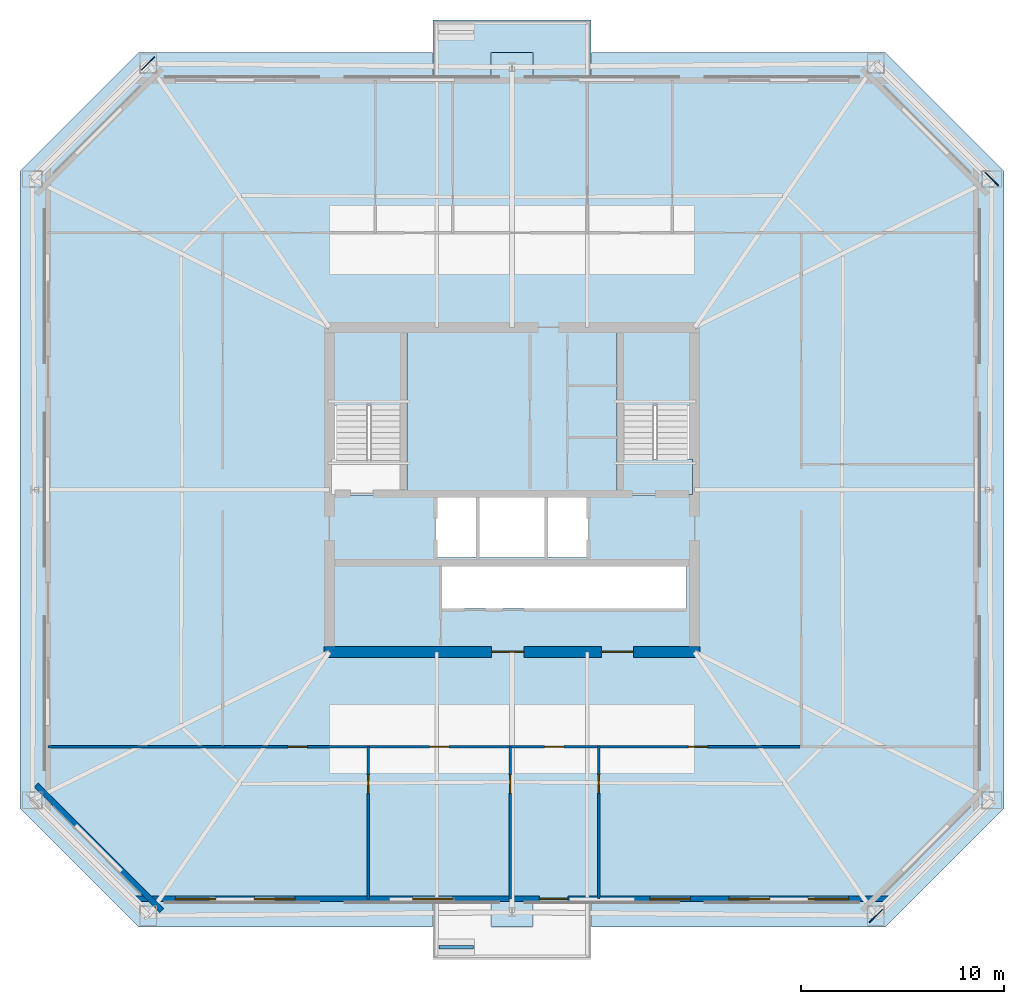
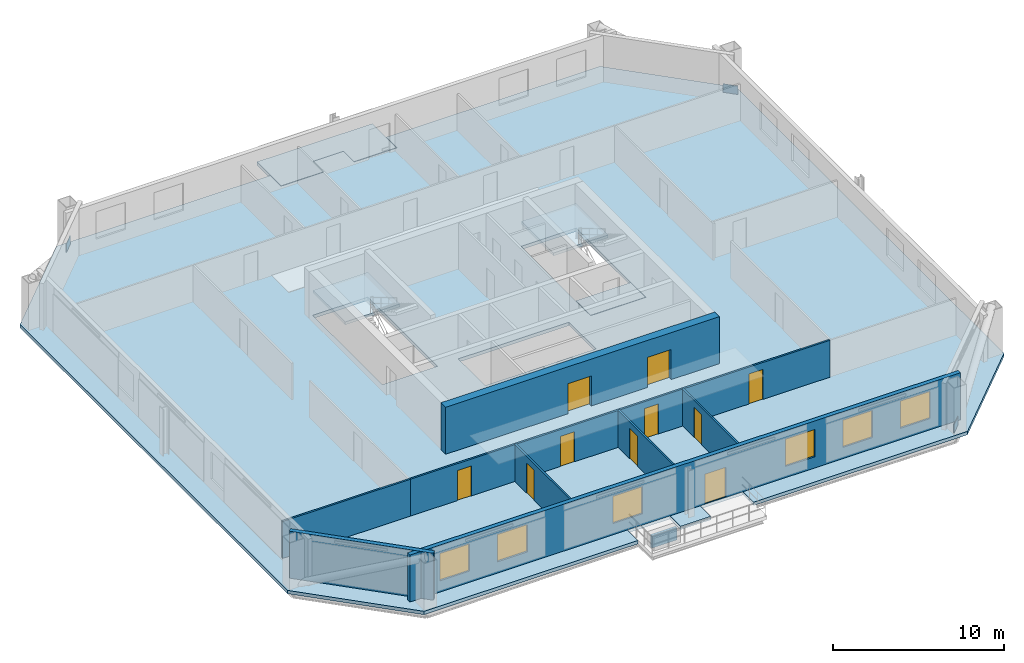
# One storey, part 2 of 7: 10 doors, 9 walls, 6 windows, 5 slabs, 3 plates, 16 openings, 2 elements without a shape of their own.
"""IFC4 building model written with IfcOpenShell, lengths in metres."""

from ifc_helpers import new_model, si_unit, direction, frame, frame_2d, origin, origin_2d, place, context, subcontext, project, spatial, polyline, rectangle, outline, extrude, material, layer, layer_set, type_object, element, fill, aggregate, save


model = new_model("IFC4")

# Units and contexts
model_context = context("Model", 3, precision=1e-05, world=origin(), true_north=direction((0.0, 1.0)))
body_context = subcontext(model_context, "Body", "Model", "MODEL_VIEW")
ifc_project = project(units=[si_unit("LENGTHUNIT", "METRE"), si_unit("AREAUNIT", "SQUARE_METRE"), si_unit("VOLUMEUNIT", "CUBIC_METRE"), si_unit("PLANEANGLEUNIT", "RADIAN"), si_unit("MASSUNIT", "GRAM", prefix="KILO")], contexts=[model_context])

# Site, building, storey
site_placement = place(None, origin())
site = spatial("IfcSite", under=ifc_project, at=site_placement, CompositionType="ELEMENT")
building_placement = place(site_placement, origin())
building = spatial("IfcBuilding", under=site, at=building_placement, Name="Caelvoria Tower", CompositionType="ELEMENT")
storey_placement = place(building_placement, frame((0.0, 0.0, 109.60009765625)))
storey = spatial("IfcBuildingStorey", under=building, at=storey_placement, Name="L28", CompositionType="ELEMENT", Elevation=109.60009765625)

# Plates
ifc_material_1 = material(Name="Structural Steel ASTM A572 Gr.50", Category="steel")
ifc_layer_1 = layer(ifc_material_1, 0.0400390625, Name="Structural Steel ASTM A572 Gr.50")
ifc_layer_set_1 = layer_set([ifc_layer_1], Name="Megaframe Node Gusset Plate 900x600x40 - Structural Steel ASTM A572 Gr.50")
plate_type = type_object("IfcPlateType", Name="Megaframe Node Gusset Plate 900x600x40", PredefinedType="USERDEFINED", material=ifc_layer_set_1)
for number, where, z_axis, x_axis, name in (
    (1, (63.9326171875, 10.99755859375, 0.019775390625), (0.0, 0.0, 1.0), (0.708307805559, 0.705903713394, 0.0), "Chamfer Mega Brace Gusset L28 SE"),
    (2, (69.6455078125, 47.30859375, 0.019775390625), (0.0, 0.0, 1.0), (-0.708307805559, 0.705903713394, 0.0), "Chamfer Mega Brace Gusset L28 NE"),
    (3, (28.0673828125, 53.00244140625, 0.019775390625), (0.0, 0.0, 1.0), (-0.708307805559, -0.705903713394, 0.0), "Chamfer Mega Brace Gusset L28 NW"),
):
    element("IfcPlate", number, at=place(storey_placement, frame(where, z_axis=z_axis, x_axis=x_axis)), inside=storey, type_object=plate_type, Name=name, ObjectType="GUSSET_PLATE", PredefinedType="USERDEFINED", context=body_context, shape_type="SweptSolid", body=[
        extrude(rectangle(XDim=0.89990234375, YDim=0.0400390625, at=origin_2d()), origin(), (0.0, 0.0, 1.0), 0.60009765625),
    ])

# Stair, slab
ifc_material_2 = material(Name="Concrete C40/50", Category="concrete")
stair_type = type_object("IfcStairType", Name="Core Smokeproof Dogleg Stair Concrete C40/50", PredefinedType="HALF_TURN_STAIR", material=ifc_material_2)
stair_1_placement = place(storey_placement, origin())
stair_1 = element("IfcStair", 4, at=stair_1_placement, inside=storey, type_object=stair_type, Name="ST-01 Smokeproof Exit Stair L28", PredefinedType="HALF_TURN_STAIR")
ifc_layer_2 = layer(ifc_material_2, 0.199951171875, Name="Concrete C40/50")
ifc_layer_set_2 = layer_set([ifc_layer_2], Name="Stair Half and Floor Landing Slab 200 Concrete C40/50 - Concrete C40/50")
slab_type_1 = type_object("IfcSlabType", Name="Stair Half and Floor Landing Slab 200 Concrete C40/50", PredefinedType="LANDING", material=ifc_layer_set_2)
slab_1_placement = place(storey_placement, frame((0.0, 0.0, 1.599853515625)))
slab_1 = element("IfcSlab", 5, at=slab_1_placement, type_object=slab_type_1, Name="ST-01 landing 2", PredefinedType="LANDING", context=body_context, shape_type="SweptSolid", body=[
    extrude(outline(polyline([(37.10009765625, 36.14990234375), (40.800048828125, 36.14990234375), (40.800048828125, 39.89990234375), (37.10009765625, 39.89990234375), (37.10009765625, 36.14990234375)])), origin(), (0.0, 0.0, 1.0), 0.199951171875),
])
aggregate(stair_1, [slab_1])

# Stair, slabs
stair_2_placement = place(storey_placement, origin())
stair_2 = element("IfcStair", 6, at=stair_2_placement, inside=storey, type_object=stair_type, Name="ST-02 Smokeproof Exit Stair L28", PredefinedType="HALF_TURN_STAIR")
slab_2_placement = place(storey_placement, frame((0.0, 0.0, -0.2001953125)))
slab_2 = element("IfcSlab", 7, at=slab_2_placement, type_object=slab_type_1, Name="ST-02 landing 1", PredefinedType="LANDING", context=body_context, shape_type="SweptSolid", body=[
    extrude(outline(polyline([(51.199951171875, 31.77001953125), (54.89990234375, 31.77001953125), (54.89990234375, 33.5), (51.199951171875, 33.5), (51.199951171875, 31.77001953125)])), origin(), (0.0, 0.0, 1.0), 0.2001953125),
])
slab_3_placement = place(storey_placement, frame((0.0, 0.0, 1.599853515625)))
slab_3 = element("IfcSlab", 8, at=slab_3_placement, type_object=slab_type_1, Name="ST-02 landing 2", PredefinedType="LANDING", context=body_context, shape_type="SweptSolid", body=[
    extrude(outline(polyline([(51.199951171875, 36.14990234375), (54.89990234375, 36.14990234375), (54.89990234375, 39.89990234375), (51.199951171875, 39.89990234375), (51.199951171875, 36.14990234375)])), origin(), (0.0, 0.0, 1.0), 0.199951171875),
])
aggregate(stair_2, [slab_2, slab_3])

# Slabs
ifc_layer_3 = layer(ifc_material_2, 0.239990234375, Name="Concrete C40/50")
ifc_layer_set_3 = layer_set([ifc_layer_3], Name="Tower Composite Office Slab 240 - Concrete C40/50")
slab_type_2 = type_object("IfcSlabType", Name="Tower Composite Office Slab 240", PredefinedType="FLOOR", material=ifc_layer_set_3)
slab_4_placement = place(storey_placement, frame((0.0, 0.0, -0.239990234375)))
element("IfcSlab", 9, at=slab_4_placement, inside=storey, type_object=slab_type_2, Name="Level L28 Structural Floor Slab", PredefinedType="FLOOR", context=body_context, shape_type="SweptSolid", body=[
    extrude(outline(polyline([(21.75, 47.699951171875), (21.75, 16.300048828125), (27.60009765625, 10.449951171875), (42.080078125, 10.449951171875), (42.080078125, 11.7099609375), (44.97998046875, 11.7099609375), (44.97998046875, 10.449951171875), (47.02001953125, 10.449951171875), (47.02001953125, 11.7099609375), (49.919921875, 11.7099609375), (49.919921875, 10.449951171875), (64.39990234375, 10.449951171875), (70.25, 16.300048828125), (70.25, 47.699951171875), (64.39990234375, 53.550048828125), (49.919921875, 53.550048828125), (49.919921875, 52.2900390625), (47.02001953125, 52.2900390625), (47.02001953125, 53.550048828125), (44.97998046875, 53.550048828125), (44.97998046875, 52.2900390625), (42.080078125, 52.2900390625), (42.080078125, 53.550048828125), (27.60009765625, 53.550048828125), (21.75, 47.699951171875)]), holes=[polyline([(37.080078125, 31.75), (40.820068359375, 31.75), (40.820068359375, 39.919921875), (37.080078125, 39.919921875), (37.080078125, 31.75)]), polyline([(51.179931640625, 31.75), (54.919921875, 31.75), (54.919921875, 39.919921875), (51.179931640625, 39.919921875), (51.179931640625, 31.75)]), polyline([(42.25, 28.64990234375), (49.75, 28.64990234375), (49.75, 31.800048828125), (42.25, 31.800048828125), (42.25, 28.64990234375)]), polyline([(42.550048828125, 26.14990234375), (54.60009765625, 26.14990234375), (54.60009765625, 28.25), (42.550048828125, 28.25), (42.550048828125, 26.14990234375)])]), origin(), (0.0, 0.0, 1.0), 0.239990234375),
])
ifc_material_3 = material(Name="Concrete C45/55", Category="concrete")
ifc_layer_4 = layer(ifc_material_3, 0.25, Name="Concrete C45/55")
ifc_layer_set_4 = layer_set([ifc_layer_4], Name="Tree Balcony Structural Planter Slab 250 - Concrete C45/55")
slab_type_3 = type_object("IfcSlabType", Name="Tree Balcony Structural Planter Slab 250", PredefinedType="FLOOR", material=ifc_layer_set_4)
slab_5_placement = place(storey_placement, frame((0.0, 0.0, -0.25)))
element("IfcSlab", 10, at=slab_5_placement, inside=storey, type_object=slab_type_3, Name="Tree Balcony Slab TB-L28-N", PredefinedType="FLOOR", context=body_context, shape_type="SweptSolid", body=[
    extrude(outline(polyline([(42.10009765625, 55.14990234375), (42.10009765625, 53.550048828125), (42.10009765625, 52.31005859375), (44.9599609375, 52.31005859375), (44.9599609375, 53.550048828125), (47.0400390625, 53.550048828125), (47.0400390625, 52.31005859375), (49.89990234375, 52.31005859375), (49.89990234375, 53.550048828125), (49.89990234375, 55.14990234375), (42.10009765625, 55.14990234375)])), origin(), (0.0, 0.0, 1.0), 0.25),
])

# Wall
ifc_material_4 = material(Name="Bronze-Clad Concrete C40/50", Category="concrete")
ifc_layer_5 = layer(ifc_material_4, 0.179931640625, Name="Bronze-Clad Concrete C40/50")
ifc_layer_set_5 = layer_set([ifc_layer_5], Name="Architectural Planter Kerb Wall 180 - Bronze-Clad Concrete C40/50")
wall_type_1 = type_object("IfcWallType", Name="Architectural Planter Kerb Wall 180", PredefinedType="PARAPET", material=ifc_layer_set_5)
wall_1_placement = place(storey_placement, frame((42.39990234375, 9.449951171875, 0.0), z_axis=(0.0, 0.0, 1.0), x_axis=(1.0, 0.0, 0.0)))
element("IfcWall", 11, at=wall_1_placement, inside=storey, type_object=wall_type_1, Name="Tree Balcony Planter Kerb PLANTER TB-L28-S", PredefinedType="PARAPET", context=body_context, shape_type="SweptSolid", body=[
    extrude(rectangle(XDim=1.7001953125, YDim=0.179931640625, at=frame_2d((0.85009765625, 0.0))), origin(), (0.0, 0.0, 1.0), 0.8798828125),
])

# Wall, openings, windows, door
ifc_material_5 = material(Name="Precast Concrete C40/50 with Bronze Cladding", Category="concrete")
ifc_layer_6 = layer(ifc_material_5, 0.280029296875, Name="Precast Concrete C40/50 with Bronze Cladding")
ifc_layer_set_6 = layer_set([ifc_layer_6], Name="Exterior Precast Concrete C40/50 Bronze-Clad Facade Wall 280 - Precast Concrete C40/50 with Bronze Cladding")
wall_type_2 = type_object("IfcWallType", Name="Exterior Precast Concrete C40/50 Bronze-Clad Facade Wall 280", PredefinedType="STANDARD", material=ifc_layer_set_6)
wall_2_placement = place(storey_placement, frame((27.360107421875, 11.830078125, 0.0), z_axis=(0.0, 0.0, 1.0), x_axis=(1.0, 0.0, 0.0)))
wall_2 = element("IfcWall", 12, at=wall_2_placement, inside=storey, type_object=wall_type_2, Name="Exterior Facade Wall L28-E0", PredefinedType="STANDARD", context=body_context, shape_type="SweptSolid", body=[
    extrude(rectangle(XDim=37.27978515625, YDim=0.280029296875, at=frame_2d((18.639892578125, 0.0))), origin(), (0.0, 0.0, 1.0), 3.35986328125),
])
opening_1_placement = place(wall_2_placement, frame((19.989990234375, 0.0, 0.0)))
opening_1 = element("IfcOpeningElement", 13, at=opening_1_placement, cuts=wall_2, Name="Opening ED-04", PredefinedType="OPENING", context=body_context, shape_type="SweptSolid", body=[
    extrude(rectangle(XDim=1.39990234375, YDim=2.14990234375, at=frame_2d((0.699951171875, 1.074951171875))), frame((0.0, 0.14990234375, 0.0), z_axis=(0.0, -1.0, 0.0), x_axis=(1.0, 0.0, 0.0)), (0.0, 0.0, 1.0), 0.300048828125),
])
opening_2_placement = place(wall_2_placement, frame((2.048828125, 0.0, 0.800048828125)))
opening_2 = element("IfcOpeningElement", 14, at=opening_2_placement, cuts=wall_2, Name="Opening WN-01", PredefinedType="OPENING", context=body_context, shape_type="SweptSolid", body=[
    extrude(rectangle(XDim=2.0, YDim=1.949951171875, at=frame_2d((1.0, 0.97509765625))), frame((0.0, 0.14990234375, 0.0), z_axis=(0.0, -1.0, 0.0), x_axis=(1.0, 0.0, 0.0)), (0.0, 0.0, 1.0), 0.300048828125),
])
opening_3_placement = place(wall_2_placement, frame((5.94677734375, 0.0, 0.800048828125)))
opening_3 = element("IfcOpeningElement", 15, at=opening_3_placement, cuts=wall_2, Name="Opening WN-01", PredefinedType="OPENING", context=body_context, shape_type="SweptSolid", body=[
    extrude(rectangle(XDim=2.0, YDim=1.949951171875, at=frame_2d((1.0, 0.97509765625))), frame((0.0, 0.14990234375, 0.0), z_axis=(0.0, -1.0, 0.0), x_axis=(1.0, 0.0, 0.0)), (0.0, 0.0, 1.0), 0.300048828125),
])
opening_4_placement = place(wall_2_placement, frame((13.7421875, 0.0, 0.800048828125)))
opening_4 = element("IfcOpeningElement", 16, at=opening_4_placement, cuts=wall_2, Name="Opening WN-01", PredefinedType="OPENING", context=body_context, shape_type="SweptSolid", body=[
    extrude(rectangle(XDim=2.0, YDim=1.949951171875, at=frame_2d((1.0, 0.97509765625))), frame((0.0, 0.14990234375, 0.0), z_axis=(0.0, -1.0, 0.0), x_axis=(1.0, 0.0, 0.0)), (0.0, 0.0, 1.0), 0.300048828125),
])
opening_5_placement = place(wall_2_placement, frame((25.435546875, 0.0, 0.800048828125)))
opening_5 = element("IfcOpeningElement", 17, at=opening_5_placement, cuts=wall_2, Name="Opening WN-01", PredefinedType="OPENING", context=body_context, shape_type="SweptSolid", body=[
    extrude(rectangle(XDim=2.0, YDim=1.949951171875, at=frame_2d((1.0, 0.97509765625))), frame((0.0, 0.14990234375, 0.0), z_axis=(0.0, -1.0, 0.0), x_axis=(1.0, 0.0, 0.0)), (0.0, 0.0, 1.0), 0.300048828125),
])
opening_6_placement = place(wall_2_placement, frame((29.333251953125, 0.0, 0.800048828125)))
opening_6 = element("IfcOpeningElement", 18, at=opening_6_placement, cuts=wall_2, Name="Opening WN-01", PredefinedType="OPENING", context=body_context, shape_type="SweptSolid", body=[
    extrude(rectangle(XDim=2.0, YDim=1.949951171875, at=frame_2d((1.0, 0.97509765625))), frame((0.0, 0.14990234375, 0.0), z_axis=(0.0, -1.0, 0.0), x_axis=(1.0, 0.0, 0.0)), (0.0, 0.0, 1.0), 0.300048828125),
])
opening_7_placement = place(wall_2_placement, frame((33.231201171875, 0.0, 0.800048828125)))
opening_7 = element("IfcOpeningElement", 19, at=opening_7_placement, cuts=wall_2, Name="Opening WN-01", PredefinedType="OPENING", context=body_context, shape_type="SweptSolid", body=[
    extrude(rectangle(XDim=2.0, YDim=1.949951171875, at=frame_2d((1.0, 0.97509765625))), frame((0.0, 0.14990234375, 0.0), z_axis=(0.0, -1.0, 0.0), x_axis=(1.0, 0.0, 0.0)), (0.0, 0.0, 1.0), 0.300048828125),
])
ifc_material_6 = material(Name="Low-E Tinted Glass in Bronze Aluminium Frame", Category="aluminium")
window_type = type_object("IfcWindowType", Name="Tower Office Vision Window 2000x1950", PartitioningType="SINGLE_PANEL", PredefinedType="WINDOW", material=ifc_material_6)
window_1_placement = place(opening_2_placement, origin())
window_1 = element("IfcWindow", 20, at=window_1_placement, inside=storey, type_object=window_type, Name="Facade Window L28-E0-00", OverallHeight=1.949951171875, OverallWidth=2.0, PartitioningType="SINGLE_PANEL", PredefinedType="WINDOW", context=body_context, shape_type="SweptSolid", body=[
    extrude(rectangle(XDim=2.0, YDim=1.949951171875, at=frame_2d((1.0, 0.97509765625))), frame((0.0, 0.030029296875, 0.0), z_axis=(0.0, -1.0, 0.0), x_axis=(1.0, 0.0, 0.0)), (0.0, 0.0, 1.0), 0.06005859375),
])
fill(opening_2, window_1)
window_2_placement = place(opening_3_placement, origin())
window_2 = element("IfcWindow", 21, at=window_2_placement, inside=storey, type_object=window_type, Name="Facade Window L28-E0-01", OverallHeight=1.949951171875, OverallWidth=2.0, PartitioningType="SINGLE_PANEL", PredefinedType="WINDOW", context=body_context, shape_type="SweptSolid", body=[
    extrude(rectangle(XDim=2.0, YDim=1.949951171875, at=frame_2d((1.0, 0.97509765625))), frame((0.0, 0.030029296875, 0.0), z_axis=(0.0, -1.0, 0.0), x_axis=(1.0, 0.0, 0.0)), (0.0, 0.0, 1.0), 0.06005859375),
])
fill(opening_3, window_2)
window_3_placement = place(opening_4_placement, origin())
window_3 = element("IfcWindow", 22, at=window_3_placement, inside=storey, type_object=window_type, Name="Facade Window L28-E0-03", OverallHeight=1.949951171875, OverallWidth=2.0, PartitioningType="SINGLE_PANEL", PredefinedType="WINDOW", context=body_context, shape_type="SweptSolid", body=[
    extrude(rectangle(XDim=2.0, YDim=1.949951171875, at=frame_2d((1.0, 0.97509765625))), frame((0.0, 0.030029296875, 0.0), z_axis=(0.0, -1.0, 0.0), x_axis=(1.0, 0.0, 0.0)), (0.0, 0.0, 1.0), 0.06005859375),
])
fill(opening_4, window_3)
window_4_placement = place(opening_5_placement, origin())
window_4 = element("IfcWindow", 23, at=window_4_placement, inside=storey, type_object=window_type, Name="Facade Window L28-E0-06", OverallHeight=1.949951171875, OverallWidth=2.0, PartitioningType="SINGLE_PANEL", PredefinedType="WINDOW", context=body_context, shape_type="SweptSolid", body=[
    extrude(rectangle(XDim=2.0, YDim=1.949951171875, at=frame_2d((1.0, 0.97509765625))), frame((0.0, 0.030029296875, 0.0), z_axis=(0.0, -1.0, 0.0), x_axis=(1.0, 0.0, 0.0)), (0.0, 0.0, 1.0), 0.06005859375),
])
fill(opening_5, window_4)
window_5_placement = place(opening_6_placement, origin())
window_5 = element("IfcWindow", 24, at=window_5_placement, inside=storey, type_object=window_type, Name="Facade Window L28-E0-07", OverallHeight=1.949951171875, OverallWidth=2.0, PartitioningType="SINGLE_PANEL", PredefinedType="WINDOW", context=body_context, shape_type="SweptSolid", body=[
    extrude(rectangle(XDim=2.0, YDim=1.949951171875, at=frame_2d((1.0, 0.97509765625))), frame((0.0, 0.030029296875, 0.0), z_axis=(0.0, -1.0, 0.0), x_axis=(1.0, 0.0, 0.0)), (0.0, 0.0, 1.0), 0.06005859375),
])
fill(opening_6, window_5)
window_6_placement = place(opening_7_placement, origin())
window_6 = element("IfcWindow", 25, at=window_6_placement, inside=storey, type_object=window_type, Name="Facade Window L28-E0-08", OverallHeight=1.949951171875, OverallWidth=2.0, PartitioningType="SINGLE_PANEL", PredefinedType="WINDOW", context=body_context, shape_type="SweptSolid", body=[
    extrude(rectangle(XDim=2.0, YDim=1.949951171875, at=frame_2d((1.0, 0.97509765625))), frame((0.0, 0.030029296875, 0.0), z_axis=(0.0, -1.0, 0.0), x_axis=(1.0, 0.0, 0.0)), (0.0, 0.0, 1.0), 0.06005859375),
])
fill(opening_7, window_6)
ifc_material_7 = material(Name="Anodised Bronze Aluminium and Laminated Glass", Category="aluminium")
door_type_1 = type_object("IfcDoorType", Name="Tree Balcony Glazed Door 1400x2150", OperationType="NOTDEFINED", PredefinedType="DOOR", material=ifc_material_7)
door_1_placement = place(opening_1_placement, origin())
door_1 = element("IfcDoor", 26, at=door_1_placement, inside=storey, type_object=door_type_1, Name="Tree Balcony Door L28-S", OperationType="SINGLE_SWING_LEFT", OverallHeight=2.14990234375, OverallWidth=1.39990234375, PredefinedType="DOOR", context=body_context, shape_type="SweptSolid", body=[
    extrude(rectangle(XDim=1.39990234375, YDim=2.14990234375, at=frame_2d((0.699951171875, 1.074951171875))), frame((0.0, 0.02490234375, 0.0), z_axis=(0.0, -1.0, 0.0), x_axis=(1.0, 0.0, 0.0)), (0.0, 0.0, 1.0), 0.050048828125),
])
fill(opening_1, door_1)

# Wall
wall_3_placement = place(storey_placement, frame((22.55615234375, 17.445556640625, 0.0), z_axis=(0.0, 0.0, 1.0), x_axis=(0.707106781187, -0.707106781187, 0.0)))
element("IfcWall", 27, at=wall_3_placement, inside=storey, type_object=wall_type_2, Name="Exterior Facade Wall L28-E7", PredefinedType="STANDARD", context=body_context, shape_type="SweptSolid", body=[
    extrude(rectangle(XDim=8.753173828125, YDim=0.280029296875, at=frame_2d((4.37646484375, 0.0))), origin(), (0.0, 0.0, 1.0), 3.35986328125),
])

# Wall, openings, doors
ifc_material_8 = material(Name="Concrete C55/67", Category="concrete")
ifc_layer_7 = layer(ifc_material_8, 0.550048828125, Name="Concrete C55/67")
ifc_layer_set_7 = layer_set([ifc_layer_7], Name="Mid Core Shear Wall 550 - Concrete C55/67")
wall_type_3 = type_object("IfcWallType", Name="Mid Core Shear Wall 550", PredefinedType="SHEAR", material=ifc_layer_set_7)
wall_4_placement = place(storey_placement, frame((36.72509765625, 24.0, 0.0), z_axis=(0.0, 0.0, 1.0), x_axis=(1.0, 0.0, 0.0)))
wall_4 = element("IfcWall", 28, at=wall_4_placement, inside=storey, type_object=wall_type_3, Name="Core Shear Wall L28 S", PredefinedType="SHEAR", context=body_context, shape_type="SweptSolid", body=[
    extrude(rectangle(XDim=18.5498046875, YDim=0.550048828125, at=frame_2d((9.27490234375, 0.0))), origin(), (0.0, 0.0, 1.0), 3.35986328125),
])
opening_8_placement = place(wall_4_placement, frame((8.27490234375, 0.0, 0.0)))
opening_8 = element("IfcOpeningElement", 29, at=opening_8_placement, cuts=wall_4, Name="Opening ID-08", PredefinedType="OPENING", context=body_context, shape_type="SweptSolid", body=[
    extrude(rectangle(XDim=1.60009765625, YDim=2.14990234375, at=frame_2d((0.800048828125, 1.074951171875))), frame((0.0, 0.284912109375, 0.0), z_axis=(0.0, -1.0, 0.0), x_axis=(1.0, 0.0, 0.0)), (0.0, 0.0, 1.0), 0.570068359375),
])
opening_9_placement = place(wall_4_placement, frame((13.675048828125, 0.0, 0.0)))
opening_9 = element("IfcOpeningElement", 30, at=opening_9_placement, cuts=wall_4, Name="Opening ID-08", PredefinedType="OPENING", context=body_context, shape_type="SweptSolid", body=[
    extrude(rectangle(XDim=1.60009765625, YDim=2.14990234375, at=frame_2d((0.800048828125, 1.074951171875))), frame((0.0, 0.284912109375, 0.0), z_axis=(0.0, -1.0, 0.0), x_axis=(1.0, 0.0, 0.0)), (0.0, 0.0, 1.0), 0.570068359375),
])
ifc_material_9 = material(Name="Bronze-Framed Fire-Rated Glazed Double Door", Category="aluminium")
door_type_2 = type_object("IfcDoorType", Name="Double Lobby Glazed Door 1600x2200", OperationType="NOTDEFINED", PredefinedType="DOOR", material=ifc_material_9)
door_2_placement = place(opening_8_placement, origin())
door_2 = element("IfcDoor", 31, at=door_2_placement, inside=storey, type_object=door_type_2, Name="Core Door DR-L28-LLOB-S1", OperationType="DOUBLE_DOOR_SINGLE_SWING", OverallHeight=2.14990234375, OverallWidth=1.60009765625, PredefinedType="DOOR", context=body_context, shape_type="SweptSolid", body=[
    extrude(rectangle(XDim=1.60009765625, YDim=2.14990234375, at=frame_2d((0.800048828125, 1.074951171875))), frame((0.0, 0.02490234375, 0.0), z_axis=(0.0, -1.0, 0.0), x_axis=(1.0, 0.0, 0.0)), (0.0, 0.0, 1.0), 0.050048828125),
])
fill(opening_8, door_2)
door_3_placement = place(opening_9_placement, origin())
door_3 = element("IfcDoor", 32, at=door_3_placement, inside=storey, type_object=door_type_2, Name="Core Door DR-L28-LLOB-S2", OperationType="DOUBLE_DOOR_SINGLE_SWING", OverallHeight=2.14990234375, OverallWidth=1.60009765625, PredefinedType="DOOR", context=body_context, shape_type="SweptSolid", body=[
    extrude(rectangle(XDim=1.60009765625, YDim=2.14990234375, at=frame_2d((0.800048828125, 1.074951171875))), frame((0.0, 0.02490234375, 0.0), z_axis=(0.0, -1.0, 0.0), x_axis=(1.0, 0.0, 0.0)), (0.0, 0.0, 1.0), 0.050048828125),
])
fill(opening_9, door_3)

# Wall, opening, door
ifc_material_10 = material(Name="Acoustic Gypsum Board on Light-Gauge Stud", Category="gypsum")
ifc_layer_8 = layer(ifc_material_10, 0.1201171875, Name="Acoustic Gypsum Board on Light-Gauge Stud")
ifc_layer_set_8 = layer_set([ifc_layer_8], Name="Tenant Suite Acoustic Partition Wall 120 - Acoustic Gypsum Board on Light-Gauge Stud")
wall_type_4 = type_object("IfcWallType", Name="Tenant Suite Acoustic Partition Wall 120", PredefinedType="PARTITIONING", material=ifc_layer_set_8)
wall_5_placement = place(storey_placement, frame((38.91357421875, 19.340087890625, 0.0), z_axis=(0.0, 0.0, 1.0), x_axis=(0.0, -1.0, 0.0)))
wall_5 = element("IfcWall", 33, at=wall_5_placement, inside=storey, type_object=wall_type_4, Name="Interior Partition IW-L28-SD-00-0", PredefinedType="PARTITIONING", context=body_context, shape_type="SweptSolid", body=[
    extrude(rectangle(XDim=7.510009765625, YDim=0.1201171875, at=frame_2d((3.7548828125, 0.0))), origin(), (0.0, 0.0, 1.0), 2.639892578125),
])
opening_10_placement = place(wall_5_placement, frame((1.39990234375, 0.0, 0.0)))
opening_10 = element("IfcOpeningElement", 34, at=opening_10_placement, cuts=wall_5, Name="Opening ID-06", PredefinedType="OPENING", context=body_context, shape_type="SweptSolid", body=[
    extrude(rectangle(XDim=0.89990234375, YDim=2.14990234375, at=frame_2d((0.449951171875, 1.074951171875))), frame((0.0, 0.070068359375, 0.0), z_axis=(0.0, -1.0, 0.0), x_axis=(1.0, 0.0, 0.0)), (0.0, 0.0, 1.0), 0.14013671875),
])
ifc_material_11 = material(Name="Engineered Andean Oak Veneer Door", Category="wood")
door_type_3 = type_object("IfcDoorType", Name="Interior Timber Door 900x2150", OperationType="NOTDEFINED", PredefinedType="DOOR", material=ifc_material_11)
door_4_placement = place(opening_10_placement, origin())
door_4 = element("IfcDoor", 35, at=door_4_placement, inside=storey, type_object=door_type_3, Name="Interior Door DR-L28-SM-00-0", OperationType="SINGLE_SWING_RIGHT", OverallHeight=2.14990234375, OverallWidth=0.89990234375, PredefinedType="DOOR", context=body_context, shape_type="SweptSolid", body=[
    extrude(rectangle(XDim=0.89990234375, YDim=2.14990234375, at=frame_2d((0.449951171875, 1.074951171875))), frame((0.0, 0.02490234375, 0.0), z_axis=(0.0, -1.0, 0.0), x_axis=(1.0, 0.0, 0.0)), (0.0, 0.0, 1.0), 0.050048828125),
])
fill(opening_10, door_4)

wall_6_placement = place(storey_placement, frame((45.908935546875, 19.340087890625, 0.0), z_axis=(0.0, 0.0, 1.0), x_axis=(0.0, -1.0, 0.0)))
wall_6 = element("IfcWall", 36, at=wall_6_placement, inside=storey, type_object=wall_type_4, Name="Interior Partition IW-L28-SD-01-0", PredefinedType="PARTITIONING", context=body_context, shape_type="SweptSolid", body=[
    extrude(rectangle(XDim=7.510009765625, YDim=0.1201171875, at=frame_2d((3.7548828125, 0.0))), origin(), (0.0, 0.0, 1.0), 2.639892578125),
])
opening_11_placement = place(wall_6_placement, frame((1.39990234375, 0.0, 0.0)))
opening_11 = element("IfcOpeningElement", 37, at=opening_11_placement, cuts=wall_6, Name="Opening ID-06", PredefinedType="OPENING", context=body_context, shape_type="SweptSolid", body=[
    extrude(rectangle(XDim=0.89990234375, YDim=2.14990234375, at=frame_2d((0.449951171875, 1.074951171875))), frame((0.0, 0.070068359375, 0.0), z_axis=(0.0, -1.0, 0.0), x_axis=(1.0, 0.0, 0.0)), (0.0, 0.0, 1.0), 0.14013671875),
])
door_5_placement = place(opening_11_placement, origin())
door_5 = element("IfcDoor", 38, at=door_5_placement, inside=storey, type_object=door_type_3, Name="Interior Door DR-L28-SM-01-0", OperationType="SINGLE_SWING_LEFT", OverallHeight=2.14990234375, OverallWidth=0.89990234375, PredefinedType="DOOR", context=body_context, shape_type="SweptSolid", body=[
    extrude(rectangle(XDim=0.89990234375, YDim=2.14990234375, at=frame_2d((0.449951171875, 1.074951171875))), frame((0.0, 0.02490234375, 0.0), z_axis=(0.0, -1.0, 0.0), x_axis=(1.0, 0.0, 0.0)), (0.0, 0.0, 1.0), 0.050048828125),
])
fill(opening_11, door_5)

wall_7_placement = place(storey_placement, frame((50.2666015625, 19.340087890625, 0.0), z_axis=(0.0, 0.0, 1.0), x_axis=(0.0, -1.0, 0.0)))
wall_7 = element("IfcWall", 39, at=wall_7_placement, inside=storey, type_object=wall_type_4, Name="Interior Partition IW-L28-SD-02-0", PredefinedType="PARTITIONING", context=body_context, shape_type="SweptSolid", body=[
    extrude(rectangle(XDim=7.510009765625, YDim=0.1201171875, at=frame_2d((3.7548828125, 0.0))), origin(), (0.0, 0.0, 1.0), 2.639892578125),
])
opening_12_placement = place(wall_7_placement, frame((1.39990234375, 0.0, 0.0)))
opening_12 = element("IfcOpeningElement", 40, at=opening_12_placement, cuts=wall_7, Name="Opening ID-06", PredefinedType="OPENING", context=body_context, shape_type="SweptSolid", body=[
    extrude(rectangle(XDim=0.89990234375, YDim=2.14990234375, at=frame_2d((0.449951171875, 1.074951171875))), frame((0.0, 0.070068359375, 0.0), z_axis=(0.0, -1.0, 0.0), x_axis=(1.0, 0.0, 0.0)), (0.0, 0.0, 1.0), 0.14013671875),
])
door_6_placement = place(opening_12_placement, origin())
door_6 = element("IfcDoor", 41, at=door_6_placement, inside=storey, type_object=door_type_3, Name="Interior Door DR-L28-SM-02-0", OperationType="SINGLE_SWING_RIGHT", OverallHeight=2.14990234375, OverallWidth=0.89990234375, PredefinedType="DOOR", context=body_context, shape_type="SweptSolid", body=[
    extrude(rectangle(XDim=0.89990234375, YDim=2.14990234375, at=frame_2d((0.449951171875, 1.074951171875))), frame((0.0, 0.02490234375, 0.0), z_axis=(0.0, -1.0, 0.0), x_axis=(1.0, 0.0, 0.0)), (0.0, 0.0, 1.0), 0.050048828125),
])
fill(opening_12, door_6)

# Wall, openings, doors
wall_8_placement = place(storey_placement, frame((31.800048828125, 19.340087890625, 0.0), z_axis=(0.0, 0.0, 1.0), x_axis=(1.0, 0.0, 0.0)))
wall_8 = element("IfcWall", 42, at=wall_8_placement, inside=storey, type_object=wall_type_4, Name="Interior Partition IW-L28-SCW-0", PredefinedType="PARTITIONING", context=body_context, shape_type="SweptSolid", body=[
    extrude(rectangle(XDim=28.39990234375, YDim=0.1201171875, at=frame_2d((14.199951171875, 0.0))), origin(), (0.0, 0.0, 1.0), 2.639892578125),
])
opening_13_placement = place(wall_8_placement, frame((3.151611328125, 0.0, 0.0)))
opening_13 = element("IfcOpeningElement", 43, at=opening_13_placement, cuts=wall_8, Name="Opening ID-05", PredefinedType="OPENING", context=body_context, shape_type="SweptSolid", body=[
    extrude(rectangle(XDim=0.949951171875, YDim=2.14990234375, at=frame_2d((0.47509765625, 1.074951171875))), frame((0.0, 0.070068359375, 0.0), z_axis=(0.0, -1.0, 0.0), x_axis=(1.0, 0.0, 0.0)), (0.0, 0.0, 1.0), 0.14013671875),
])
opening_14_placement = place(wall_8_placement, frame((10.13623046875, 0.0, 0.0)))
opening_14 = element("IfcOpeningElement", 44, at=opening_14_placement, cuts=wall_8, Name="Opening ID-05", PredefinedType="OPENING", context=body_context, shape_type="SweptSolid", body=[
    extrude(rectangle(XDim=0.949951171875, YDim=2.14990234375, at=frame_2d((0.47509765625, 1.074951171875))), frame((0.0, 0.070068359375, 0.0), z_axis=(0.0, -1.0, 0.0), x_axis=(1.0, 0.0, 0.0)), (0.0, 0.0, 1.0), 0.14013671875),
])
opening_15_placement = place(wall_8_placement, frame((15.812744140625, 0.0, 0.0)))
opening_15 = element("IfcOpeningElement", 45, at=opening_15_placement, cuts=wall_8, Name="Opening ID-05", PredefinedType="OPENING", context=body_context, shape_type="SweptSolid", body=[
    extrude(rectangle(XDim=0.949951171875, YDim=2.14990234375, at=frame_2d((0.47509765625, 1.074951171875))), frame((0.0, 0.070068359375, 0.0), z_axis=(0.0, -1.0, 0.0), x_axis=(1.0, 0.0, 0.0)), (0.0, 0.0, 1.0), 0.14013671875),
])
opening_16_placement = place(wall_8_placement, frame((22.888427734375, 0.0, 0.0)))
opening_16 = element("IfcOpeningElement", 46, at=opening_16_placement, cuts=wall_8, Name="Opening ID-05", PredefinedType="OPENING", context=body_context, shape_type="SweptSolid", body=[
    extrude(rectangle(XDim=0.949951171875, YDim=2.14990234375, at=frame_2d((0.47509765625, 1.074951171875))), frame((0.0, 0.070068359375, 0.0), z_axis=(0.0, -1.0, 0.0), x_axis=(1.0, 0.0, 0.0)), (0.0, 0.0, 1.0), 0.14013671875),
])
door_type_4 = type_object("IfcDoorType", Name="Interior Timber Door 950x2150", OperationType="NOTDEFINED", PredefinedType="DOOR", material=ifc_material_11)
door_7_placement = place(opening_13_placement, origin())
door_7 = element("IfcDoor", 47, at=door_7_placement, inside=storey, type_object=door_type_4, Name="Interior Door DR-L28-SC-00-0", OperationType="SINGLE_SWING_LEFT", OverallHeight=2.14990234375, OverallWidth=0.949951171875, PredefinedType="DOOR", context=body_context, shape_type="SweptSolid", body=[
    extrude(rectangle(XDim=0.949951171875, YDim=2.14990234375, at=frame_2d((0.47509765625, 1.074951171875))), frame((0.0, 0.02490234375, 0.0), z_axis=(0.0, -1.0, 0.0), x_axis=(1.0, 0.0, 0.0)), (0.0, 0.0, 1.0), 0.050048828125),
])
fill(opening_13, door_7)
door_8_placement = place(opening_14_placement, origin())
door_8 = element("IfcDoor", 48, at=door_8_placement, inside=storey, type_object=door_type_4, Name="Interior Door DR-L28-SC-01-0", OperationType="SINGLE_SWING_RIGHT", OverallHeight=2.14990234375, OverallWidth=0.949951171875, PredefinedType="DOOR", context=body_context, shape_type="SweptSolid", body=[
    extrude(rectangle(XDim=0.949951171875, YDim=2.14990234375, at=frame_2d((0.47509765625, 1.074951171875))), frame((0.0, 0.02490234375, 0.0), z_axis=(0.0, -1.0, 0.0), x_axis=(1.0, 0.0, 0.0)), (0.0, 0.0, 1.0), 0.050048828125),
])
fill(opening_14, door_8)
door_9_placement = place(opening_15_placement, origin())
door_9 = element("IfcDoor", 49, at=door_9_placement, inside=storey, type_object=door_type_4, Name="Interior Door DR-L28-SC-02-0", OperationType="SINGLE_SWING_LEFT", OverallHeight=2.14990234375, OverallWidth=0.949951171875, PredefinedType="DOOR", context=body_context, shape_type="SweptSolid", body=[
    extrude(rectangle(XDim=0.949951171875, YDim=2.14990234375, at=frame_2d((0.47509765625, 1.074951171875))), frame((0.0, 0.02490234375, 0.0), z_axis=(0.0, -1.0, 0.0), x_axis=(1.0, 0.0, 0.0)), (0.0, 0.0, 1.0), 0.050048828125),
])
fill(opening_15, door_9)
door_10_placement = place(opening_16_placement, origin())
door_10 = element("IfcDoor", 50, at=door_10_placement, inside=storey, type_object=door_type_4, Name="Interior Door DR-L28-SC-03-0", OperationType="SINGLE_SWING_RIGHT", OverallHeight=2.14990234375, OverallWidth=0.949951171875, PredefinedType="DOOR", context=body_context, shape_type="SweptSolid", body=[
    extrude(rectangle(XDim=0.949951171875, YDim=2.14990234375, at=frame_2d((0.47509765625, 1.074951171875))), frame((0.0, 0.02490234375, 0.0), z_axis=(0.0, -1.0, 0.0), x_axis=(1.0, 0.0, 0.0)), (0.0, 0.0, 1.0), 0.050048828125),
])
fill(opening_16, door_10)

# Wall
wall_9_placement = place(storey_placement, frame((31.800048828125, 19.340087890625, 0.0), z_axis=(0.0, 0.0, 1.0), x_axis=(-1.0, 0.0, 0.0)))
element("IfcWall", 51, at=wall_9_placement, inside=storey, type_object=wall_type_4, Name="Interior Partition IW-L28-BSW-0", PredefinedType="PARTITIONING", context=body_context, shape_type="SweptSolid", body=[
    extrude(rectangle(XDim=8.670166015625, YDim=0.1201171875, at=frame_2d((4.3349609375, 0.0))), origin(), (0.0, 0.0, 1.0), 2.639892578125),
])

save(model, "model.ifc")
